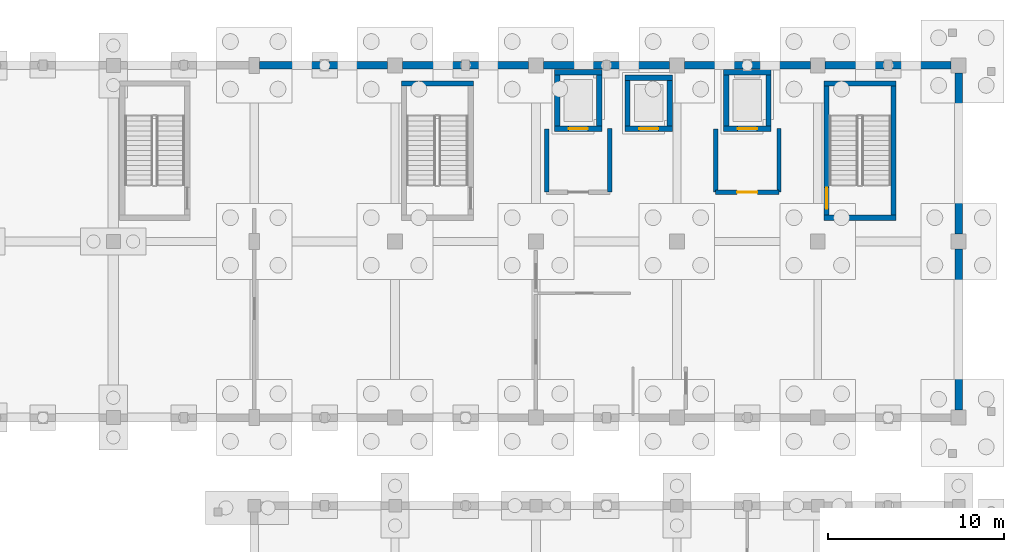
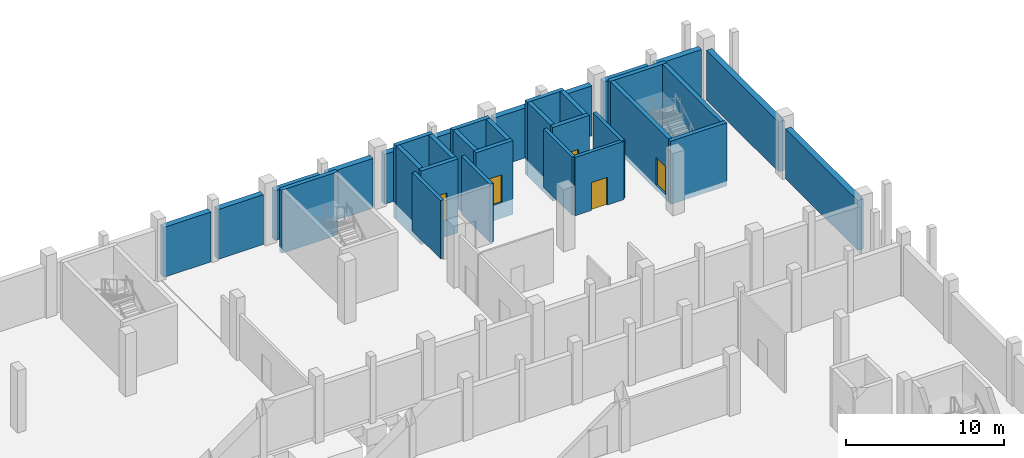
# One storey, part 34 of 52: 34 walls, 5 doors, 5 openings.
"""IFC4 building model written with IfcOpenShell, lengths in metres."""

from ifc_helpers import new_model, si_unit, direction, frame, frame_2d, origin, place, context, subcontext, project, spatial, rectangle, extrude, material, layer, layer_set, type_object, element, fill, save


model = new_model("IFC4")

# Units and contexts
model_context = context("Model", 3, precision=1e-05, world=origin(), true_north=direction((0.0, 1.0)))
body_context = subcontext(model_context, "Body", "Model", "MODEL_VIEW")
ifc_project = project(units=[si_unit("LENGTHUNIT", "METRE"), si_unit("AREAUNIT", "SQUARE_METRE"), si_unit("VOLUMEUNIT", "CUBIC_METRE"), si_unit("PLANEANGLEUNIT", "RADIAN"), si_unit("MASSUNIT", "GRAM", prefix="KILO")], contexts=[model_context])

# Site, building, storey
site_placement = place(None, origin())
site = spatial("IfcSite", under=ifc_project, at=site_placement, CompositionType="ELEMENT")
building_placement = place(site_placement, origin())
building = spatial("IfcBuilding", under=site, at=building_placement, Name="Luwemba Playhouse", CompositionType="ELEMENT")
storey_placement = place(building_placement, frame((0.0, 0.0, -4.800048828125)))
storey = spatial("IfcBuildingStorey", under=building, at=storey_placement, Name="B1", CompositionType="ELEMENT", Elevation=-4.800048828125)

# Walls
ifc_material_1 = material(Name="Concrete C40/50", Category="concrete")
ifc_layer_1 = layer(ifc_material_1, 0.300048828125)
ifc_layer_set_1 = layer_set([ifc_layer_1], Name="Concrete C40/50")
wall_type_1 = type_object("IfcWallType", Name="WAL-CORE-300", PredefinedType="SHEAR", material=ifc_layer_set_1)
for number, where, z_axis, x_axis, name in (
    (1, (144.449951171875, 113.969970703125, -0.3798828125), (0.0, 0.0, 1.0), (-1.0, 0.0, 0.0), "B1 ST-09 stair core wall N"),
    (2, (164.35009765625, 106.35009765625, -0.3798828125), (0.0, 0.0, 1.0), (1.0, 0.0, 0.0), "B1 ST-10 stair core wall S"),
    (3, (168.449951171875, 113.969970703125, -0.3798828125), (0.0, 0.0, 1.0), (-1.0, 0.0, 0.0), "B1 ST-10 stair core wall N"),
):
    element("IfcWall", number, at=place(storey_placement, frame(where, z_axis=z_axis, x_axis=x_axis)), inside=storey, type_object=wall_type_1, Name=name, PredefinedType="SHEAR", context=body_context, shape_type="SweptSolid", body=[
        extrude(rectangle(XDim=4.099853515625, YDim=0.300048828125, at=frame_2d((2.0498046875, 0.0))), origin(), (0.0, 0.0, 1.0), 4.8798828125),
    ])

# Wall, opening, door
wall_1_placement = place(storey_placement, frame((164.5, 113.820068359375, -0.3798828125), z_axis=(0.0, 0.0, 1.0), x_axis=(0.0, -1.0, 0.0)))
wall_1 = element("IfcWall", 4, at=wall_1_placement, inside=storey, type_object=wall_type_1, Name="B1 ST-10 stair core wall W", PredefinedType="SHEAR", context=body_context, shape_type="SweptSolid", body=[
    extrude(rectangle(XDim=7.320068359375, YDim=0.300048828125, at=frame_2d((3.66015625, 0.0))), origin(), (0.0, 0.0, 1.0), 4.8798828125),
])
opening_1_placement = place(wall_1_placement, frame((5.77001953125, 0.0, 0.3798828125)))
opening_1 = element("IfcOpeningElement", 5, at=opening_1_placement, cuts=wall_1, Name="Opening D-STAIR3", PredefinedType="OPENING", context=body_context, shape_type="SweptSolid", body=[
    extrude(rectangle(XDim=1.199951171875, YDim=2.14990234375, at=frame_2d((0.60009765625, 1.074951171875))), frame((0.0, 0.159912109375, 0.0), z_axis=(0.0, -1.0, 0.0), x_axis=(1.0, 0.0, 0.0)), (0.0, 0.0, 1.0), 0.320068359375),
])
ifc_material_2 = material(Name="Hardwood acoustic fire door leaf", Category="wood")
door_type_1 = type_object("IfcDoorType", Name="DR-STAIR-120", OperationType="NOTDEFINED", PredefinedType="DOOR", material=ifc_material_2)
door_1_placement = place(opening_1_placement, origin())
door_1 = element("IfcDoor", 6, at=door_1_placement, inside=storey, type_object=door_type_1, Name="B1 ST-10 protected stair entry door", OperationType="SINGLE_SWING_LEFT", OverallHeight=2.14990234375, OverallWidth=1.199951171875, PredefinedType="DOOR", context=body_context, shape_type="SweptSolid", body=[
    extrude(rectangle(XDim=1.199951171875, YDim=2.14990234375, at=frame_2d((0.60009765625, 1.074951171875))), frame((0.0, 0.02490234375, 0.0), z_axis=(0.0, -1.0, 0.0), x_axis=(1.0, 0.0, 0.0)), (0.0, 0.0, 1.0), 0.050048828125),
])
fill(opening_1, door_1)

# Wall
wall_2_placement = place(storey_placement, frame((168.300048828125, 113.820068359375, -0.3798828125), z_axis=(0.0, 0.0, 1.0), x_axis=(0.0, -1.0, 0.0)))
element("IfcWall", 7, at=wall_2_placement, inside=storey, type_object=wall_type_1, Name="B1 ST-10 stair core wall E", PredefinedType="SHEAR", context=body_context, shape_type="SweptSolid", body=[
    extrude(rectangle(XDim=7.320068359375, YDim=0.300048828125, at=frame_2d((3.66015625, 0.0))), origin(), (0.0, 0.0, 1.0), 4.8798828125),
])

# Wall, opening, door
wall_3_placement = place(storey_placement, frame((149.050048828125, 111.39990234375, -1.199951171875), z_axis=(0.0, 0.0, 1.0), x_axis=(1.0, 0.0, 0.0)))
wall_3 = element("IfcWall", 8, at=wall_3_placement, inside=storey, type_object=wall_type_1, Name="B1 Lift LF-FF1 shaft wall S", PredefinedType="SHEAR", context=body_context, shape_type="SweptSolid", body=[
    extrude(rectangle(XDim=2.699951171875, YDim=0.300048828125, at=frame_2d((1.35009765625, 0.0))), origin(), (0.0, 0.0, 1.0), 5.699951171875),
])
opening_2_placement = place(wall_3_placement, frame((0.800048828125, 0.0, 1.199951171875)))
opening_2 = element("IfcOpeningElement", 9, at=opening_2_placement, cuts=wall_3, Name="Opening LD-01", PredefinedType="OPENING", context=body_context, shape_type="SweptSolid", body=[
    extrude(rectangle(XDim=1.10009765625, YDim=2.14990234375, at=frame_2d((0.550048828125, 1.074951171875))), frame((0.0, 0.159912109375, 0.0), z_axis=(0.0, -1.0, 0.0), x_axis=(1.0, 0.0, 0.0)), (0.0, 0.0, 1.0), 0.320068359375),
])
ifc_material_3 = material(Name="Stainless steel lift landing doors", Category="steel")
door_type_2 = type_object("IfcDoorType", Name="DR-LIFT-110", OperationType="NOTDEFINED", PredefinedType="DOOR", material=ifc_material_3)
door_2_placement = place(opening_2_placement, origin())
door_2 = element("IfcDoor", 10, at=door_2_placement, inside=storey, type_object=door_type_2, Name="B1 Lift LF-FF1 landing door", OperationType="DOUBLE_DOOR_SLIDING", OverallHeight=2.14990234375, OverallWidth=1.10009765625, PredefinedType="DOOR", context=body_context, shape_type="SweptSolid", body=[
    extrude(rectangle(XDim=1.10009765625, YDim=2.14990234375, at=frame_2d((0.550048828125, 1.074951171875))), frame((0.0, 0.02490234375, 0.0), z_axis=(0.0, -1.0, 0.0), x_axis=(1.0, 0.0, 0.0)), (0.0, 0.0, 1.0), 0.050048828125),
])
fill(opening_2, door_2)

# Walls
wall_4_placement = place(storey_placement, frame((151.75, 114.60009765625, -1.199951171875), z_axis=(0.0, 0.0, 1.0), x_axis=(-1.0, 0.0, 0.0)))
element("IfcWall", 11, at=wall_4_placement, inside=storey, type_object=wall_type_1, Name="B1 Lift LF-FF1 shaft wall N", PredefinedType="SHEAR", context=body_context, shape_type="SweptSolid", body=[
    extrude(rectangle(XDim=2.699951171875, YDim=0.300048828125, at=frame_2d((1.35009765625, 0.0))), origin(), (0.0, 0.0, 1.0), 5.699951171875),
])
for number, where, z_axis, x_axis, name in (
    (12, (149.199951171875, 111.550048828125, -1.199951171875), (0.0, 0.0, 1.0), (0.0, 1.0, 0.0), "B1 Lift LF-FF1 shaft wall W"),
    (13, (151.60009765625, 114.449951171875, -1.199951171875), (0.0, 0.0, 1.0), (0.0, -1.0, 0.0), "B1 Lift LF-FF1 shaft wall E"),
):
    element("IfcWall", number, at=place(storey_placement, frame(where, z_axis=z_axis, x_axis=x_axis)), inside=storey, type_object=wall_type_1, Name=name, PredefinedType="SHEAR", context=body_context, shape_type="SweptSolid", body=[
        extrude(rectangle(XDim=2.89990234375, YDim=0.300048828125, at=frame_2d((1.449951171875, 0.0))), origin(), (0.0, 0.0, 1.0), 5.699951171875),
    ])

# Wall, opening, door
wall_5_placement = place(storey_placement, frame((158.64990234375, 111.39990234375, -1.199951171875), z_axis=(0.0, 0.0, 1.0), x_axis=(1.0, 0.0, 0.0)))
wall_5 = element("IfcWall", 14, at=wall_5_placement, inside=storey, type_object=wall_type_1, Name="B1 Lift LF-FF2 shaft wall S", PredefinedType="SHEAR", context=body_context, shape_type="SweptSolid", body=[
    extrude(rectangle(XDim=2.7001953125, YDim=0.300048828125, at=frame_2d((1.35009765625, 0.0))), origin(), (0.0, 0.0, 1.0), 5.699951171875),
])
opening_3_placement = place(wall_5_placement, frame((0.800048828125, 0.0, 1.199951171875)))
opening_3 = element("IfcOpeningElement", 15, at=opening_3_placement, cuts=wall_5, Name="Opening LD-01", PredefinedType="OPENING", context=body_context, shape_type="SweptSolid", body=[
    extrude(rectangle(XDim=1.10009765625, YDim=2.14990234375, at=frame_2d((0.550048828125, 1.074951171875))), frame((0.0, 0.159912109375, 0.0), z_axis=(0.0, -1.0, 0.0), x_axis=(1.0, 0.0, 0.0)), (0.0, 0.0, 1.0), 0.320068359375),
])
door_3_placement = place(opening_3_placement, origin())
door_3 = element("IfcDoor", 16, at=door_3_placement, inside=storey, type_object=door_type_2, Name="B1 Lift LF-FF2 landing door", OperationType="DOUBLE_DOOR_SLIDING", OverallHeight=2.14990234375, OverallWidth=1.10009765625, PredefinedType="DOOR", context=body_context, shape_type="SweptSolid", body=[
    extrude(rectangle(XDim=1.10009765625, YDim=2.14990234375, at=frame_2d((0.550048828125, 1.074951171875))), frame((0.0, 0.02490234375, 0.0), z_axis=(0.0, -1.0, 0.0), x_axis=(1.0, 0.0, 0.0)), (0.0, 0.0, 1.0), 0.050048828125),
])
fill(opening_3, door_3)

# Walls
wall_6_placement = place(storey_placement, frame((161.35009765625, 114.60009765625, -1.199951171875), z_axis=(0.0, 0.0, 1.0), x_axis=(-1.0, 0.0, 0.0)))
element("IfcWall", 17, at=wall_6_placement, inside=storey, type_object=wall_type_1, Name="B1 Lift LF-FF2 shaft wall N", PredefinedType="SHEAR", context=body_context, shape_type="SweptSolid", body=[
    extrude(rectangle(XDim=2.7001953125, YDim=0.300048828125, at=frame_2d((1.35009765625, 0.0))), origin(), (0.0, 0.0, 1.0), 5.699951171875),
])
for number, where, z_axis, x_axis, name in (
    (18, (158.800048828125, 111.550048828125, -1.199951171875), (0.0, 0.0, 1.0), (0.0, 1.0, 0.0), "B1 Lift LF-FF2 shaft wall W"),
    (19, (161.199951171875, 114.449951171875, -1.199951171875), (0.0, 0.0, 1.0), (0.0, -1.0, 0.0), "B1 Lift LF-FF2 shaft wall E"),
):
    element("IfcWall", number, at=place(storey_placement, frame(where, z_axis=z_axis, x_axis=x_axis)), inside=storey, type_object=wall_type_1, Name=name, PredefinedType="SHEAR", context=body_context, shape_type="SweptSolid", body=[
        extrude(rectangle(XDim=2.89990234375, YDim=0.300048828125, at=frame_2d((1.449951171875, 0.0))), origin(), (0.0, 0.0, 1.0), 5.699951171875),
    ])

# Wall, opening, door
wall_7_placement = place(storey_placement, frame((153.050048828125, 111.39990234375, -1.199951171875), z_axis=(0.0, 0.0, 1.0), x_axis=(1.0, 0.0, 0.0)))
wall_7 = element("IfcWall", 20, at=wall_7_placement, inside=storey, type_object=wall_type_1, Name="B1 Lift LF-P6 shaft wall S", PredefinedType="SHEAR", context=body_context, shape_type="SweptSolid", body=[
    extrude(rectangle(XDim=2.699951171875, YDim=0.300048828125, at=frame_2d((1.35009765625, 0.0))), origin(), (0.0, 0.0, 1.0), 5.699951171875),
])
opening_4_placement = place(wall_7_placement, frame((0.800048828125, 0.0, 1.199951171875)))
opening_4 = element("IfcOpeningElement", 21, at=opening_4_placement, cuts=wall_7, Name="Opening LD-01", PredefinedType="OPENING", context=body_context, shape_type="SweptSolid", body=[
    extrude(rectangle(XDim=1.10009765625, YDim=2.14990234375, at=frame_2d((0.550048828125, 1.074951171875))), frame((0.0, 0.159912109375, 0.0), z_axis=(0.0, -1.0, 0.0), x_axis=(1.0, 0.0, 0.0)), (0.0, 0.0, 1.0), 0.320068359375),
])
door_4_placement = place(opening_4_placement, origin())
door_4 = element("IfcDoor", 22, at=door_4_placement, inside=storey, type_object=door_type_2, Name="B1 Lift LF-P6 landing door", OperationType="DOUBLE_DOOR_SLIDING", OverallHeight=2.14990234375, OverallWidth=1.10009765625, PredefinedType="DOOR", context=body_context, shape_type="SweptSolid", body=[
    extrude(rectangle(XDim=1.10009765625, YDim=2.14990234375, at=frame_2d((0.550048828125, 1.074951171875))), frame((0.0, 0.02490234375, 0.0), z_axis=(0.0, -1.0, 0.0), x_axis=(1.0, 0.0, 0.0)), (0.0, 0.0, 1.0), 0.050048828125),
])
fill(opening_4, door_4)

# Walls
wall_8_placement = place(storey_placement, frame((155.75, 114.300048828125, -1.199951171875), z_axis=(0.0, 0.0, 1.0), x_axis=(-1.0, 0.0, 0.0)))
element("IfcWall", 23, at=wall_8_placement, inside=storey, type_object=wall_type_1, Name="B1 Lift LF-P6 shaft wall N", PredefinedType="SHEAR", context=body_context, shape_type="SweptSolid", body=[
    extrude(rectangle(XDim=2.699951171875, YDim=0.300048828125, at=frame_2d((1.35009765625, 0.0))), origin(), (0.0, 0.0, 1.0), 5.699951171875),
])
for number, where, z_axis, x_axis, name in (
    (24, (153.199951171875, 111.550048828125, -1.199951171875), (0.0, 0.0, 1.0), (0.0, 1.0, 0.0), "B1 Lift LF-P6 shaft wall W"),
    (25, (155.60009765625, 114.14990234375, -1.199951171875), (0.0, 0.0, 1.0), (0.0, -1.0, 0.0), "B1 Lift LF-P6 shaft wall E"),
):
    element("IfcWall", number, at=place(storey_placement, frame(where, z_axis=z_axis, x_axis=x_axis)), inside=storey, type_object=wall_type_1, Name=name, PredefinedType="SHEAR", context=body_context, shape_type="SweptSolid", body=[
        extrude(rectangle(XDim=2.599853515625, YDim=0.300048828125, at=frame_2d((1.2998046875, 0.0))), origin(), (0.0, 0.0, 1.0), 5.699951171875),
    ])
ifc_layer_2 = layer(ifc_material_1, 0.25)
ifc_layer_set_2 = layer_set([ifc_layer_2], Name="Concrete C40/50")
wall_type_2 = type_object("IfcWallType", Name="WAL-FFL-250", PredefinedType="SOLIDWALL", material=ifc_layer_set_2)
for number, where, z_axis, x_axis, name in (
    (26, (148.60009765625, 107.800048828125, 0.0), (0.0, 0.0, 1.0), (0.0, 1.0, 0.0), "B1 LF-FF1 firefighting lift lobby wall W"),
    (27, (152.199951171875, 111.39990234375, 0.0), (0.0, 0.0, 1.0), (0.0, -1.0, 0.0), "B1 LF-FF1 firefighting lift lobby wall E"),
):
    element("IfcWall", number, at=place(storey_placement, frame(where, z_axis=z_axis, x_axis=x_axis)), inside=storey, type_object=wall_type_2, Name=name, PredefinedType="SOLIDWALL", context=body_context, shape_type="SweptSolid", body=[
        extrude(rectangle(XDim=3.599853515625, YDim=0.25, at=frame_2d((1.7998046875, 0.0))), origin(), (0.0, 0.0, 1.0), 4.5),
    ])

# Wall, opening, door
wall_9_placement = place(storey_placement, frame((161.800048828125, 107.800048828125, 0.0), z_axis=(0.0, 0.0, 1.0), x_axis=(-1.0, 0.0, 0.0)))
wall_9 = element("IfcWall", 28, at=wall_9_placement, inside=storey, type_object=wall_type_2, Name="B1 LF-FF2 firefighting lift lobby wall S", PredefinedType="SOLIDWALL", context=body_context, shape_type="SweptSolid", body=[
    extrude(rectangle(XDim=3.60009765625, YDim=0.25, at=frame_2d((1.800048828125, 0.0))), origin(), (0.0, 0.0, 1.0), 4.5),
])
opening_5_placement = place(wall_9_placement, frame((1.22509765625, 0.0, 0.0)))
opening_5 = element("IfcOpeningElement", 29, at=opening_5_placement, cuts=wall_9, Name="Opening D-FD60", PredefinedType="OPENING", context=body_context, shape_type="SweptSolid", body=[
    extrude(rectangle(XDim=1.14990234375, YDim=2.14990234375, at=frame_2d((0.574951171875, 1.074951171875))), frame((0.0, 0.135009765625, 0.0), z_axis=(0.0, -1.0, 0.0), x_axis=(1.0, 0.0, 0.0)), (0.0, 0.0, 1.0), 0.27001953125),
])
ifc_material_4 = material(Name="Hardwood smoke-sealed fire door leaf", Category="wood")
door_type_3 = type_object("IfcDoorType", Name="DR-FFL-115", OperationType="NOTDEFINED", PredefinedType="DOOR", material=ifc_material_4)
door_5_placement = place(opening_5_placement, origin())
door_5 = element("IfcDoor", 30, at=door_5_placement, inside=storey, type_object=door_type_3, Name="B1 LF-FF2 firefighting lobby smoke door", OperationType="SINGLE_SWING_RIGHT", OverallHeight=2.14990234375, OverallWidth=1.14990234375, PredefinedType="DOOR", context=body_context, shape_type="SweptSolid", body=[
    extrude(rectangle(XDim=1.14990234375, YDim=2.14990234375, at=frame_2d((0.574951171875, 1.074951171875))), frame((0.0, 0.02490234375, 0.0), z_axis=(0.0, -1.0, 0.0), x_axis=(1.0, 0.0, 0.0)), (0.0, 0.0, 1.0), 0.050048828125),
])
fill(opening_5, door_5)

# Walls
for number, where, z_axis, x_axis, name in (
    (31, (158.199951171875, 107.800048828125, 0.0), (0.0, 0.0, 1.0), (0.0, 1.0, 0.0), "B1 LF-FF2 firefighting lift lobby wall W"),
    (32, (161.800048828125, 111.39990234375, 0.0), (0.0, 0.0, 1.0), (0.0, -1.0, 0.0), "B1 LF-FF2 firefighting lift lobby wall E"),
):
    element("IfcWall", number, at=place(storey_placement, frame(where, z_axis=z_axis, x_axis=x_axis)), inside=storey, type_object=wall_type_2, Name=name, PredefinedType="SOLIDWALL", context=body_context, shape_type="SweptSolid", body=[
        extrude(rectangle(XDim=3.599853515625, YDim=0.25, at=frame_2d((1.7998046875, 0.0))), origin(), (0.0, 0.0, 1.0), 4.5),
    ])
ifc_material_5 = material(Name="Concrete C32/40", Category="concrete")
ifc_layer_3 = layer(ifc_material_5, 0.419921875)
ifc_layer_set_3 = layer_set([ifc_layer_3], Name="Concrete C32/40")
wall_type_3 = type_object("IfcWallType", Name="WAL-RET-420", PredefinedType="USERDEFINED", material=ifc_layer_set_3)
wall_10_placement = place(storey_placement, frame((132.300048828125, 115.0, 0.0), z_axis=(0.0, 0.0, 1.0), x_axis=(1.0, 0.0, 0.0)))
element("IfcWall", 33, at=wall_10_placement, inside=storey, type_object=wall_type_3, Name="Basement retaining wall 192", ObjectType="RETAINING WALL", PredefinedType="USERDEFINED", context=body_context, shape_type="SweptSolid", body=[
    extrude(rectangle(XDim=3.449951171875, YDim=0.419921875, at=frame_2d((1.72509765625, 0.0))), origin(), (0.0, 0.0, 1.0), 3.85009765625),
])
wall_11_placement = place(storey_placement, frame((136.25, 115.0, 0.0), z_axis=(0.0, 0.0, 1.0), x_axis=(1.0, 0.0, 0.0)))
element("IfcWall", 34, at=wall_11_placement, inside=storey, type_object=wall_type_3, Name="Basement retaining wall 193", ObjectType="RETAINING WALL", PredefinedType="USERDEFINED", context=body_context, shape_type="SweptSolid", body=[
    extrude(rectangle(XDim=3.324951171875, YDim=0.419921875, at=frame_2d((1.66259765625, 0.0))), origin(), (0.0, 0.0, 1.0), 3.85009765625),
])
for number, where, z_axis, x_axis, name in (
    (35, (140.425048828125, 115.0, 0.0), (0.0, 0.0, 1.0), (1.0, 0.0, 0.0), "Basement retaining wall 194"),
    (36, (144.22509765625, 115.0, 0.0), (0.0, 0.0, 1.0), (1.0, 0.0, 0.0), "Basement retaining wall 195"),
):
    element("IfcWall", number, at=place(storey_placement, frame(where, z_axis=z_axis, x_axis=x_axis)), inside=storey, type_object=wall_type_3, Name=name, ObjectType="RETAINING WALL", PredefinedType="USERDEFINED", context=body_context, shape_type="SweptSolid", body=[
        extrude(rectangle(XDim=3.349853515625, YDim=0.419921875, at=frame_2d((1.6748046875, 0.0))), origin(), (0.0, 0.0, 1.0), 3.85009765625),
    ])
for number, where, z_axis, x_axis, name in (
    (37, (148.425048828125, 115.0, 0.0), (0.0, 0.0, 1.0), (1.0, 0.0, 0.0), "Basement retaining wall 196"),
    (38, (152.199951171875, 115.0, 0.0), (0.0, 0.0, 1.0), (1.0, 0.0, 0.0), "Basement retaining wall 197"),
):
    element("IfcWall", number, at=place(storey_placement, frame(where, z_axis=z_axis, x_axis=x_axis)), inside=storey, type_object=wall_type_3, Name=name, ObjectType="RETAINING WALL", PredefinedType="USERDEFINED", context=body_context, shape_type="SweptSolid", body=[
        extrude(rectangle(XDim=3.375, YDim=0.419921875, at=frame_2d((1.6875, 0.0))), origin(), (0.0, 0.0, 1.0), 3.85009765625),
    ])
for number, where, z_axis, x_axis, name in (
    (39, (156.425048828125, 115.0, 0.0), (0.0, 0.0, 1.0), (1.0, 0.0, 0.0), "Basement retaining wall 198"),
    (40, (160.25, 115.0, 0.0), (0.0, 0.0, 1.0), (1.0, 0.0, 0.0), "Basement retaining wall 199"),
):
    element("IfcWall", number, at=place(storey_placement, frame(where, z_axis=z_axis, x_axis=x_axis)), inside=storey, type_object=wall_type_3, Name=name, ObjectType="RETAINING WALL", PredefinedType="USERDEFINED", context=body_context, shape_type="SweptSolid", body=[
        extrude(rectangle(XDim=3.324951171875, YDim=0.419921875, at=frame_2d((1.66259765625, 0.0))), origin(), (0.0, 0.0, 1.0), 3.85009765625),
    ])
for number, where, z_axis, x_axis, name in (
    (41, (164.425048828125, 115.0, 0.0), (0.0, 0.0, 1.0), (1.0, 0.0, 0.0), "Basement retaining wall 200"),
    (42, (168.22509765625, 115.0, 0.0), (0.0, 0.0, 1.0), (1.0, 0.0, 0.0), "Basement retaining wall 201"),
):
    element("IfcWall", number, at=place(storey_placement, frame(where, z_axis=z_axis, x_axis=x_axis)), inside=storey, type_object=wall_type_3, Name=name, ObjectType="RETAINING WALL", PredefinedType="USERDEFINED", context=body_context, shape_type="SweptSolid", body=[
        extrude(rectangle(XDim=3.349853515625, YDim=0.419921875, at=frame_2d((1.6748046875, 0.0))), origin(), (0.0, 0.0, 1.0), 3.85009765625),
    ])
for number, where, z_axis, x_axis, name in (
    (43, (172.0, 114.574951171875, 0.0), (0.0, 0.0, 1.0), (0.0, -1.0, 0.0), "Basement retaining wall 202"),
    (44, (172.0, 104.574951171875, 0.0), (0.0, 0.0, 1.0), (0.0, -1.0, 0.0), "Basement retaining wall 203"),
):
    element("IfcWall", number, at=place(storey_placement, frame(where, z_axis=z_axis, x_axis=x_axis)), inside=storey, type_object=wall_type_3, Name=name, ObjectType="RETAINING WALL", PredefinedType="USERDEFINED", context=body_context, shape_type="SweptSolid", body=[
        extrude(rectangle(XDim=9.14990234375, YDim=0.419921875, at=frame_2d((4.574951171875, 0.0))), origin(), (0.0, 0.0, 1.0), 3.85009765625),
    ])

save(model, "model.ifc")
